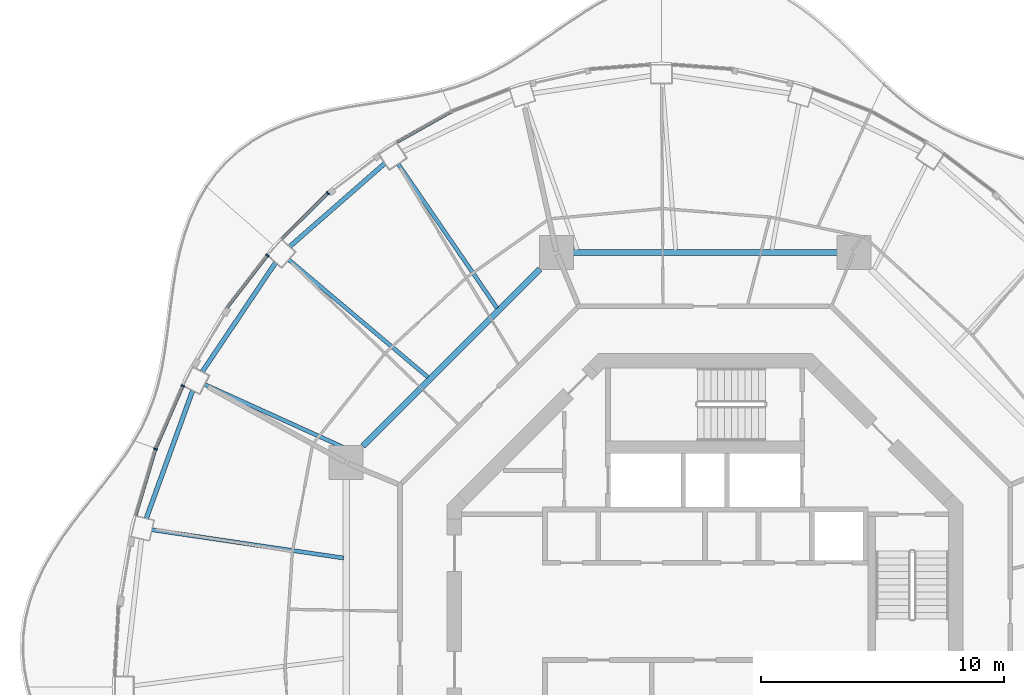
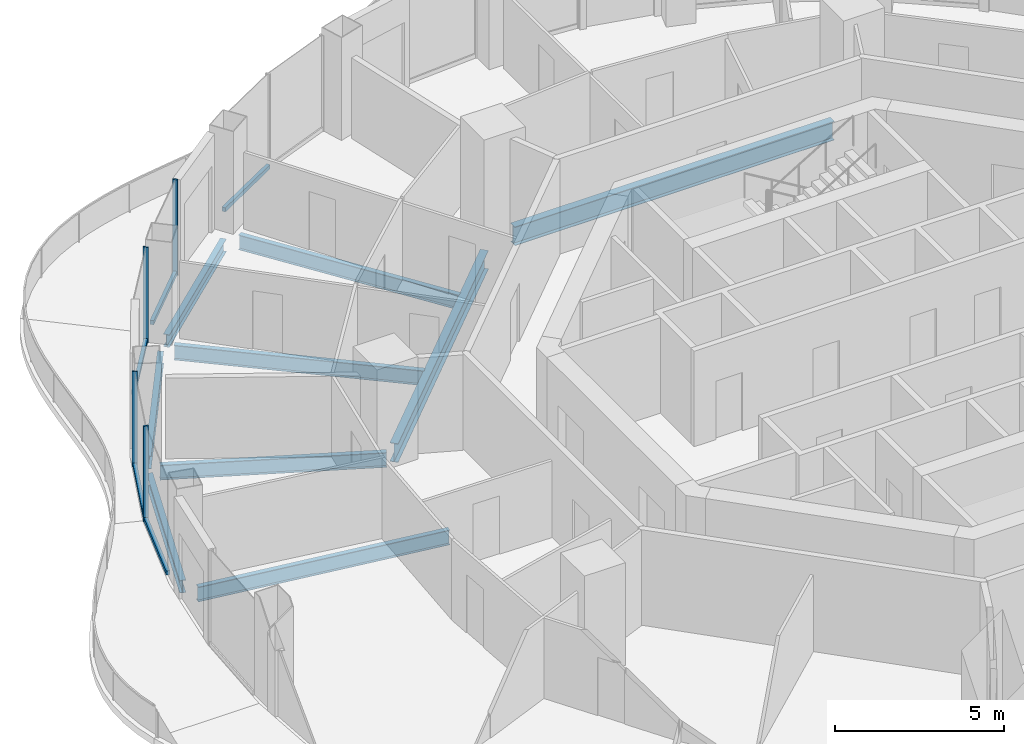
# One storey, part 5 of 17: 9 beams, 9 members, 5 elements without a shape of their own.
"""IFC4 building model written with IfcOpenShell, lengths in metres."""

from ifc_helpers import new_model, si_unit, direction, frame, origin, origin_2d, place, context, subcontext, project, spatial, rectangle, i_section, extrude, material, layer, layer_set, material_profile, profile_set, type_object, element, aggregate, save


model = new_model("IFC4")

# Units and contexts
model_context = context("Model", 3, precision=1e-05, world=origin(), true_north=direction((0.0, 1.0)))
body_context = subcontext(model_context, "Body", "Model", "MODEL_VIEW")
ifc_project = project(units=[si_unit("LENGTHUNIT", "METRE"), si_unit("AREAUNIT", "SQUARE_METRE"), si_unit("VOLUMEUNIT", "CUBIC_METRE"), si_unit("PLANEANGLEUNIT", "RADIAN"), si_unit("MASSUNIT", "GRAM", prefix="KILO")], contexts=[model_context])

# Site, building, storey
site_placement = place(None, origin())
site = spatial("IfcSite", under=ifc_project, at=site_placement, CompositionType="ELEMENT")
building_placement = place(site_placement, origin())
building = spatial("IfcBuilding", under=site, at=building_placement, Name="Nagisa Residences", CompositionType="ELEMENT")
storey_placement = place(building_placement, frame((0.0, 0.0, 273.300048828125)))
storey = spatial("IfcBuildingStorey", under=building, at=storey_placement, Name="L69", CompositionType="ELEMENT", Elevation=273.300048828125)

# Curtain wall, member
ifc_material_1 = material(Name="Concrete-coloured aluminium curtain wall system", Category="concrete")
ifc_layer = layer(ifc_material_1, 0.159912109375)
ifc_layer_set = layer_set([ifc_layer], Name="CW1 CURTAIN WALL")
curtain_wall_type = type_object("IfcCurtainWallType", Name="CW1 CURTAIN WALL", PredefinedType="NOTDEFINED", material=ifc_layer_set)
curtain_wall_1_placement = place(storey_placement, origin())
curtain_wall_1 = element("IfcCurtainWall", 1, at=curtain_wall_1_placement, inside=storey, type_object=curtain_wall_type, Name="cw:CW1:L69:17", PredefinedType="NOTDEFINED")
ifc_material_2 = material(Name="Concrete-coloured aluminium", Category="concrete")
ifc_material_profile_1 = material_profile(ifc_material_2, rectangle(XDim=0.159912109375, YDim=0.06005859375, at=origin_2d()), Name="CW1 MULLION 160x60")
ifc_profile_set_1 = profile_set([ifc_material_profile_1], Name="Concrete-coloured aluminium")
member_type_1 = type_object("IfcMemberType", Name="CW1 MULLION 160x60", PredefinedType="MULLION", material=ifc_profile_set_1)
member_1_placement = place(storey_placement, frame((-15.534912109375, 17.225341796875, 0.0), z_axis=(0.0, 0.0, 1.0), x_axis=(0.706376885714, -0.707835924016, 0.0)))
member_1 = element("IfcMember", 2, at=member_1_placement, type_object=member_type_1, Name="CW1 mullion", PredefinedType="MULLION", context=body_context, shape_type="SweptSolid", body=[
    extrude(rectangle(XDim=0.159912109375, YDim=0.06005859375, at=origin_2d()), origin(), (0.0, 0.0, 1.0), 3.43994140625),
])

curtain_wall_2_placement = place(storey_placement, origin())
curtain_wall_2 = element("IfcCurtainWall", 3, at=curtain_wall_2_placement, inside=storey, type_object=curtain_wall_type, Name="cw:CW1:L69:18", PredefinedType="NOTDEFINED")
member_2_placement = place(storey_placement, frame((-18.0244140625, 14.654296875, 0.0), z_axis=(0.0, 0.0, 1.0), x_axis=(0.792070340816, -0.610429828235, 0.0)))
member_2 = element("IfcMember", 4, at=member_2_placement, type_object=member_type_1, Name="CW1 mullion", PredefinedType="MULLION", context=body_context, shape_type="SweptSolid", body=[
    extrude(rectangle(XDim=0.159912109375, YDim=0.06005859375, at=origin_2d()), origin(), (0.0, 0.0, 1.0), 3.43994140625),
])

curtain_wall_3_placement = place(storey_placement, origin())
curtain_wall_3 = element("IfcCurtainWall", 5, at=curtain_wall_3_placement, inside=storey, type_object=curtain_wall_type, Name="cw:CW1:L69:20", PredefinedType="NOTDEFINED")
member_3_placement = place(storey_placement, frame((-21.5068359375, 9.280029296875, 0.0), z_axis=(0.0, 0.0, 1.0), x_axis=(0.917543276295, -0.397635934147, 0.0)))
member_3 = element("IfcMember", 6, at=member_3_placement, type_object=member_type_1, Name="CW1 mullion", PredefinedType="MULLION", context=body_context, shape_type="SweptSolid", body=[
    extrude(rectangle(XDim=0.159912109375, YDim=0.06005859375, at=origin_2d()), origin(), (0.0, 0.0, 1.0), 3.43994140625),
])

curtain_wall_4_placement = place(storey_placement, origin())
curtain_wall_4 = element("IfcCurtainWall", 7, at=curtain_wall_4_placement, inside=storey, type_object=curtain_wall_type, Name="cw:CW1:L69:21", PredefinedType="NOTDEFINED")
member_4_placement = place(storey_placement, frame((-22.630126953125, 6.680908203125, 0.0), z_axis=(0.0, 0.0, 1.0), x_axis=(0.958271310082, -0.285860274038, 0.0)))
member_4 = element("IfcMember", 8, at=member_4_placement, type_object=member_type_1, Name="CW1 mullion", PredefinedType="MULLION", context=body_context, shape_type="SweptSolid", body=[
    extrude(rectangle(XDim=0.159912109375, YDim=0.06005859375, at=origin_2d()), origin(), (0.0, 0.0, 1.0), 3.43994140625),
])

curtain_wall_5_placement = place(storey_placement, origin())
curtain_wall_5 = element("IfcCurtainWall", 9, at=curtain_wall_5_placement, inside=storey, type_object=curtain_wall_type, Name="cw:CW1:L69:15", PredefinedType="NOTDEFINED")
ifc_material_3 = material(Name="Concrete-coloured aluminium", Category="concrete")
ifc_material_profile_2 = material_profile(ifc_material_3, rectangle(XDim=0.1201171875, YDim=0.14990234375, at=origin_2d()), Name="CW1 TRANSOM 120x150")
ifc_profile_set_2 = profile_set([ifc_material_profile_2], Name="Concrete-coloured aluminium")
member_type_2 = type_object("IfcMemberType", Name="CW1 TRANSOM 120x150", PredefinedType="USERDEFINED", material=ifc_profile_set_2)
member_5_placement = place(storey_placement, frame((-10.417236328125, 20.59326171875, 0.074951171875), z_axis=(-0.872052877201, -0.489411666561, 0.0), x_axis=(0.489411666561, -0.872052877201, 0.0)))
member_5 = element("IfcMember", 10, at=member_5_placement, type_object=member_type_2, Name="CW1 transom", ObjectType="TRANSOM", PredefinedType="USERDEFINED", context=body_context, shape_type="SweptSolid", body=[
    extrude(rectangle(XDim=0.1201171875, YDim=0.14990234375, at=origin_2d()), origin(), (0.0, 0.0, 1.0), 2.593017578125),
])
aggregate(curtain_wall_5, [member_5])

# Member
member_6_placement = place(storey_placement, frame((-15.513671875, 17.24658203125, 0.074951171875), z_axis=(-0.707831739508, -0.706381078841, 0.0), x_axis=(0.706381078841, -0.707831739508, 0.0)))
member_6 = element("IfcMember", 11, at=member_6_placement, type_object=member_type_2, Name="CW1 transom", ObjectType="TRANSOM", PredefinedType="USERDEFINED", context=body_context, shape_type="SweptSolid", body=[
    extrude(rectangle(XDim=0.1201171875, YDim=0.14990234375, at=origin_2d()), origin(), (0.0, 0.0, 1.0), 2.692626953125),
])

aggregate(curtain_wall_1, [member_1, member_6])

member_7_placement = place(storey_placement, frame((-18.006103515625, 14.677978515625, 0.074951171875), z_axis=(-0.610432336622, -0.792068407656, 0.0), x_axis=(0.792068407656, -0.610432336622, 0.0)))
member_7 = element("IfcMember", 12, at=member_7_placement, type_object=member_type_2, Name="CW1 transom", ObjectType="TRANSOM", PredefinedType="USERDEFINED", context=body_context, shape_type="SweptSolid", body=[
    extrude(rectangle(XDim=0.1201171875, YDim=0.14990234375, at=origin_2d()), origin(), (0.0, 0.0, 1.0), 2.74609375),
])

aggregate(curtain_wall_2, [member_2, member_7])

member_8_placement = place(storey_placement, frame((-21.4951171875, 9.3076171875, 0.074951171875), z_axis=(-0.397597791596, -0.9175598052, 0.0), x_axis=(0.9175598052, -0.397597791596, 0.0)))
member_8 = element("IfcMember", 13, at=member_8_placement, type_object=member_type_2, Name="CW1 transom", ObjectType="TRANSOM", PredefinedType="USERDEFINED", context=body_context, shape_type="SweptSolid", body=[
    extrude(rectangle(XDim=0.1201171875, YDim=0.14990234375, at=origin_2d()), origin(), (0.0, 0.0, 1.0), 2.841064453125),
])

aggregate(curtain_wall_3, [member_3, member_8])

member_9_placement = place(storey_placement, frame((-22.62158203125, 6.709716796875, 0.074951171875), z_axis=(-0.285798286059, -0.958289799427, 0.0), x_axis=(0.958289799427, -0.285798286059, 0.0)))
member_9 = element("IfcMember", 14, at=member_9_placement, type_object=member_type_2, Name="CW1 transom", ObjectType="TRANSOM", PredefinedType="USERDEFINED", context=body_context, shape_type="SweptSolid", body=[
    extrude(rectangle(XDim=0.1201171875, YDim=0.14990234375, at=origin_2d()), origin(), (0.0, 0.0, 1.0), 2.877197265625),
])

aggregate(curtain_wall_4, [member_4, member_9])

# Beams
ifc_material_4 = material(Name="Steel ASTM A572 Gr 50", Category="steel")
ifc_material_profile_3 = material_profile(ifc_material_4, i_section(OverallWidth=0.2529296875, OverallDepth=0.677978515625, WebThickness=0.01171875, FlangeThickness=0.016357421875, at=origin_2d()), Name="W690x125")
ifc_profile_set_3 = profile_set([ifc_material_profile_3], Name="Steel ASTM A572 Gr 50")
beam_type_1 = type_object("IfcBeamType", Name="Inner ring beam W690x125", PredefinedType="BEAM", material=ifc_profile_set_3)
beam_1_placement = place(storey_placement, frame((5.44287109375, 14.781982421875, -0.59912109375), z_axis=(-1.0, 0.0, 0.0), x_axis=(0.0, -1.0, 0.0)))
element("IfcBeam", 15, at=beam_1_placement, inside=storey, type_object=beam_type_1, Name="beam:L69:ib2", PredefinedType="BEAM", context=body_context, shape_type="SweptSolid", body=[
    extrude(i_section(OverallWidth=0.2529296875, OverallDepth=0.677978515625, WebThickness=0.01171875, FlangeThickness=0.016357421875, at=origin_2d()), origin(), (0.0, 0.0, 1.0), 10.8857421875),
])
beam_2_placement = place(storey_placement, frame((-6.808837890625, 14.09619140625, -0.59912109375), z_axis=(-0.707106781187, -0.707106781187, 0.0), x_axis=(0.707106781187, -0.707106781187, 0.0)))
element("IfcBeam", 16, at=beam_2_placement, inside=storey, type_object=beam_type_1, Name="beam:L69:ib3", PredefinedType="BEAM", context=body_context, shape_type="SweptSolid", body=[
    extrude(i_section(OverallWidth=0.2529296875, OverallDepth=0.677978515625, WebThickness=0.01171875, FlangeThickness=0.016357421875, at=origin_2d()), origin(), (0.0, 0.0, 1.0), 10.305908203125),
])
ifc_material_5 = material(Name="Steel ASTM A572 Gr 50", Category="steel")
ifc_material_profile_4 = material_profile(ifc_material_5, i_section(OverallWidth=0.18994140625, OverallDepth=0.45703125, WebThickness=0.009033203125, FlangeThickness=0.014404296875, at=origin_2d()), Name="W460x74")
ifc_profile_set_4 = profile_set([ifc_material_profile_4], Name="Steel ASTM A572 Gr 50")
beam_type_2 = type_object("IfcBeamType", Name="Perimeter ring beam W460x74", PredefinedType="BEAM", material=ifc_profile_set_4)
beam_3_placement = place(storey_placement, frame((-13.186767578125, 18.45458984375, -0.488525390625), z_axis=(-0.752365189148, -0.658746250204, 0.0), x_axis=(0.658746250204, -0.752365189148, 0.0)))
element("IfcBeam", 17, at=beam_3_placement, inside=storey, type_object=beam_type_2, Name="beam:L69:pb09", PredefinedType="BEAM", context=body_context, shape_type="SweptSolid", body=[
    extrude(i_section(OverallWidth=0.18994140625, OverallDepth=0.45703125, WebThickness=0.009033203125, FlangeThickness=0.014404296875, at=origin_2d()), origin(), (0.0, 0.0, 1.0), 5.220947265625),
])
beam_4_placement = place(storey_placement, frame((-17.683349609375, 14.36962890625, -0.488525390625), z_axis=(-0.558035477156, -0.829817092036, 0.0), x_axis=(0.829817092036, -0.558035477156, 0.0)))
element("IfcBeam", 18, at=beam_4_placement, inside=storey, type_object=beam_type_2, Name="beam:L69:pb10", PredefinedType="BEAM", context=body_context, shape_type="SweptSolid", body=[
    extrude(i_section(OverallWidth=0.18994140625, OverallDepth=0.45703125, WebThickness=0.009033203125, FlangeThickness=0.014404296875, at=origin_2d()), origin(), (0.0, 0.0, 1.0), 5.431884765625),
])
beam_5_placement = place(storey_placement, frame((-21.104248046875, 9.094970703125, -0.488525390625), z_axis=(-0.341250304478, -0.9399724622, 0.0), x_axis=(0.9399724622, -0.341250304478, 0.0)))
element("IfcBeam", 19, at=beam_5_placement, inside=storey, type_object=beam_type_2, Name="beam:L69:pb11", PredefinedType="BEAM", context=body_context, shape_type="SweptSolid", body=[
    extrude(i_section(OverallWidth=0.18994140625, OverallDepth=0.45703125, WebThickness=0.009033203125, FlangeThickness=0.014404296875, at=origin_2d()), origin(), (0.0, 0.0, 1.0), 5.609619140625),
])
ifc_material_6 = material(Name="Steel ASTM A572 Gr 50", Category="steel")
ifc_material_profile_5 = material_profile(ifc_material_6, i_section(OverallWidth=0.166015625, OverallDepth=0.534912109375, WebThickness=0.01025390625, FlangeThickness=0.0166015625, at=origin_2d()), Name="W530x85")
ifc_profile_set_5 = profile_set([ifc_material_profile_5], Name="Steel ASTM A572 Gr 50")
beam_type_3 = type_object("IfcBeamType", Name="Radial beam W530x85", PredefinedType="BEAM", material=ifc_profile_set_5)
beam_6_placement = place(storey_placement, frame((-12.64501953125, 18.427490234375, -0.527587890625), z_axis=(0.565802292405, -0.824540942531, 0.0), x_axis=(0.824540942531, 0.565802292405, 0.0)))
element("IfcBeam", 20, at=beam_6_placement, inside=storey, type_object=beam_type_3, Name="beam:L69:rb09", PredefinedType="BEAM", context=body_context, shape_type="SweptSolid", body=[
    extrude(i_section(OverallWidth=0.166015625, OverallDepth=0.534912109375, WebThickness=0.01025390625, FlangeThickness=0.0166015625, at=origin_2d()), origin(), (0.0, 0.0, 1.0), 7.204345703125),
])
beam_7_placement = place(storey_placement, frame((-17.15087890625, 14.484375, -0.527587890625), z_axis=(0.764006403763, -0.645208660054, 0.0), x_axis=(0.645208660054, 0.764006403763, 0.0)))
element("IfcBeam", 21, at=beam_7_placement, inside=storey, type_object=beam_type_3, Name="beam:L69:rb10", PredefinedType="BEAM", context=body_context, shape_type="SweptSolid", body=[
    extrude(i_section(OverallWidth=0.166015625, OverallDepth=0.534912109375, WebThickness=0.01025390625, FlangeThickness=0.0166015625, at=origin_2d()), origin(), (0.0, 0.0, 1.0), 7.50732421875),
])
beam_8_placement = place(storey_placement, frame((-20.610107421875, 9.34521484375, -0.527587890625), z_axis=(0.910751667619, -0.412954476824, 0.0), x_axis=(0.412954476824, 0.910751667619, 0.0)))
element("IfcBeam", 22, at=beam_8_placement, inside=storey, type_object=beam_type_3, Name="beam:L69:rb11", PredefinedType="BEAM", context=body_context, shape_type="SweptSolid", body=[
    extrude(i_section(OverallWidth=0.166015625, OverallDepth=0.534912109375, WebThickness=0.01025390625, FlangeThickness=0.0166015625, at=origin_2d()), origin(), (0.0, 0.0, 1.0), 6.721923828125),
])
beam_9_placement = place(storey_placement, frame((-22.788818359375, 3.359375, -0.527587890625), z_axis=(0.989309244243, -0.145832846968, 0.0), x_axis=(0.145832846968, 0.989309244243, 0.0)))
element("IfcBeam", 23, at=beam_9_placement, inside=storey, type_object=beam_type_3, Name="beam:L69:rb12", PredefinedType="BEAM", context=body_context, shape_type="SweptSolid", body=[
    extrude(i_section(OverallWidth=0.166015625, OverallDepth=0.534912109375, WebThickness=0.01025390625, FlangeThickness=0.0166015625, at=origin_2d()), origin(), (0.0, 0.0, 1.0), 7.985595703125),
])

save(model, "model.ifc")
